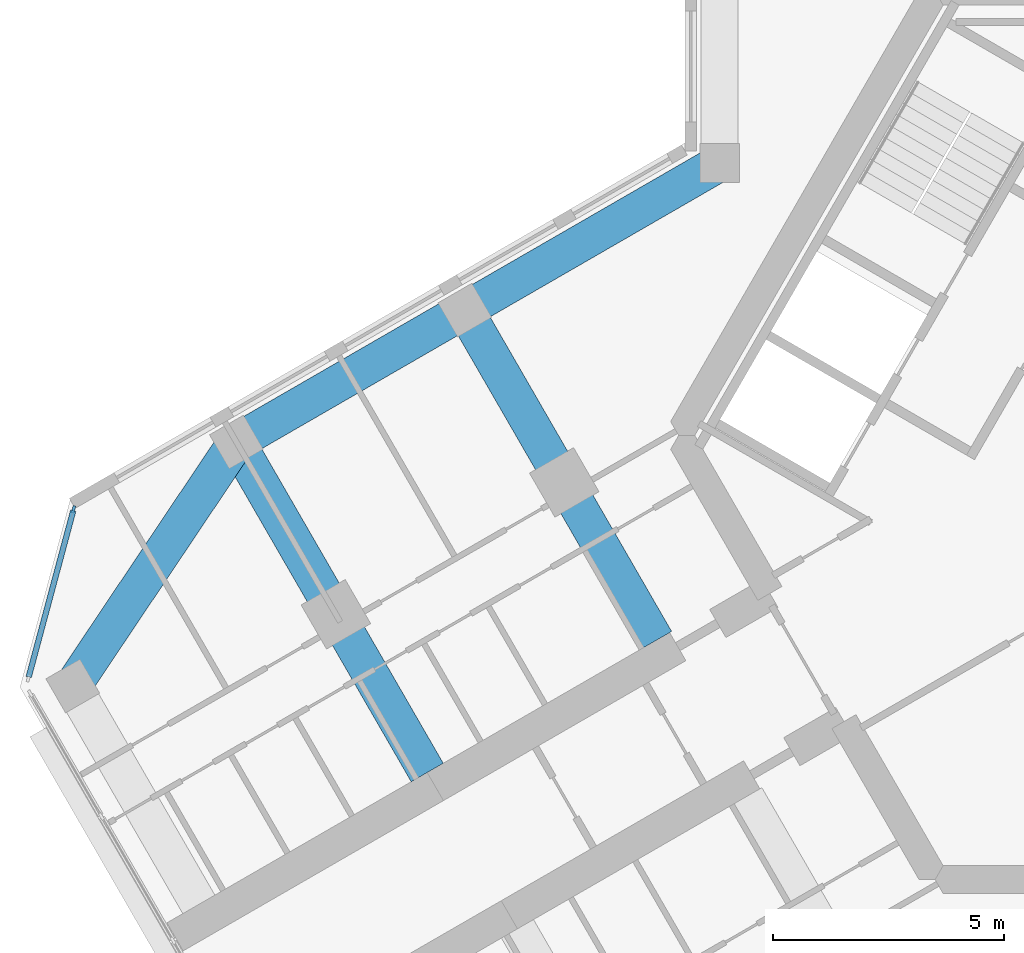
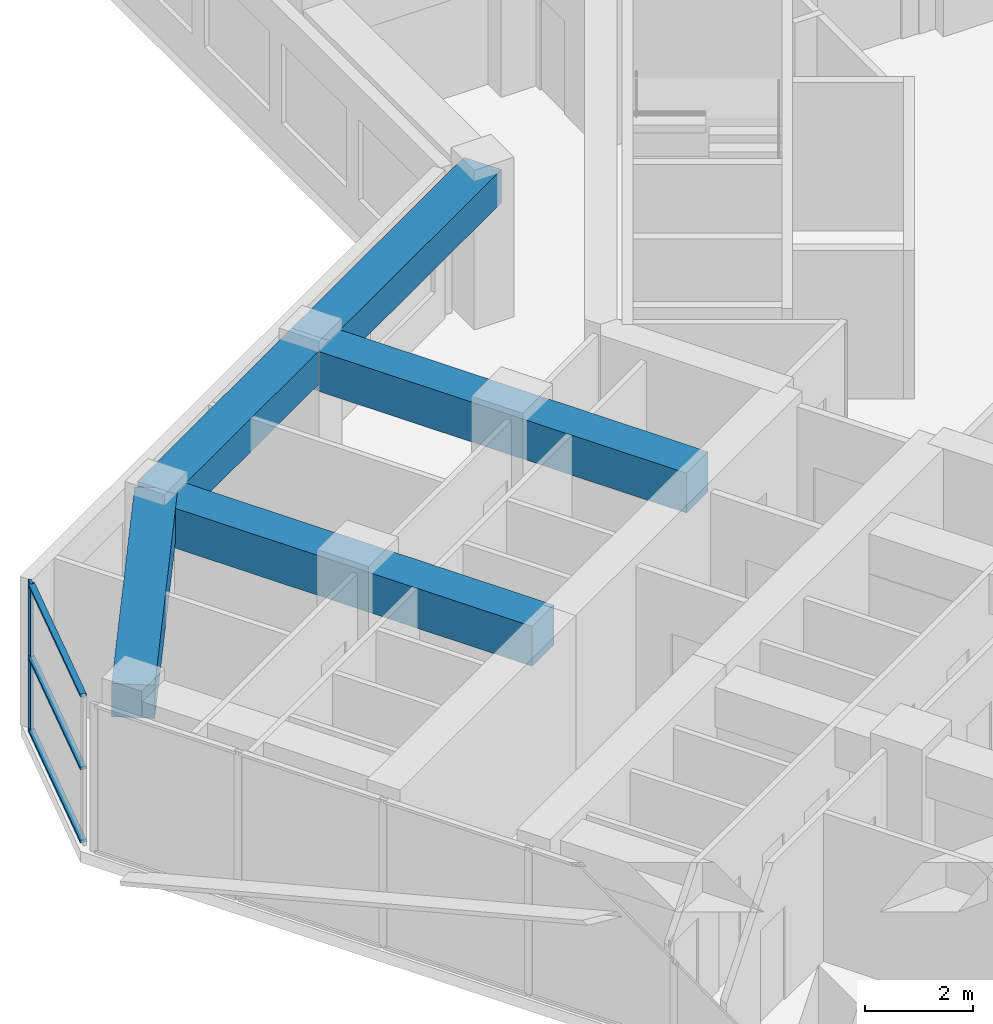
# One storey, part 3 of 16: 5 beams, 4 members, 1 element without a shape of its own.
"""IFC4 building model written with IfcOpenShell, lengths in metres."""

from ifc_helpers import new_model, si_unit, direction, frame, origin, origin_2d, place, context, subcontext, project, spatial, rectangle, extrude, material, material_profile, profile_set, type_object, element, aggregate, save


model = new_model("IFC4")

# Units and contexts
model_context = context("Model", 3, precision=1e-05, world=origin(), true_north=direction((0.0, 1.0)))
body_context = subcontext(model_context, "Body", "Model", "MODEL_VIEW")
ifc_project = project(units=[si_unit("LENGTHUNIT", "METRE"), si_unit("AREAUNIT", "SQUARE_METRE"), si_unit("VOLUMEUNIT", "CUBIC_METRE"), si_unit("PLANEANGLEUNIT", "RADIAN"), si_unit("MASSUNIT", "GRAM", prefix="KILO")], contexts=[model_context])

# Site, building, storey
site_placement = place(None, origin())
site = spatial("IfcSite", under=ifc_project, at=site_placement, CompositionType="ELEMENT")
building_placement = place(site_placement, origin())
building = spatial("IfcBuilding", under=site, at=building_placement, Name="Kosmar Iwan School Tower", CompositionType="ELEMENT")
storey_placement = place(building_placement, frame((0.0, 0.0, 246.0)))
storey = spatial("IfcBuildingStorey", under=building, at=storey_placement, Name="L62", CompositionType="ELEMENT", Elevation=246.0)

# Curtain wall, member
ifc_material_1 = material(Name="Dark glass in black aluminium frame", Category="aluminium")
curtain_wall_type = type_object("IfcCurtainWallType", Name="Chamfer curtain wall dark glass", PredefinedType="USERDEFINED", material=ifc_material_1)
curtain_wall_placement = place(storey_placement, origin())
curtain_wall = element("IfcCurtainWall", 1, at=curtain_wall_placement, inside=storey, type_object=curtain_wall_type, Name="Curtain wall L62-F10", ObjectType="FACETED CURTAIN WALL", PredefinedType="USERDEFINED")
ifc_material_2 = material(Name="Black anodised aluminium", Category="aluminium")
ifc_material_profile_1 = material_profile(ifc_material_2, rectangle(XDim=0.06005859375, YDim=0.159912109375, at=origin_2d()), Name="MULLION 60x160")
ifc_profile_set_1 = profile_set([ifc_material_profile_1], Name="Black anodised aluminium")
member_type_1 = type_object("IfcMemberType", Name="Mullion 60x160", PredefinedType="MULLION", material=ifc_profile_set_1)
member_1_placement = place(storey_placement, frame((-24.163818359375, -1.59814453125, 0.0), z_axis=(0.0, 0.0, 1.0), x_axis=(0.965925875495, -0.258818861462, 0.0)))
member_1 = element("IfcMember", 2, at=member_1_placement, type_object=member_type_1, Name="CW2 mullion 1", PredefinedType="MULLION", context=body_context, shape_type="SweptSolid", body=[
    extrude(rectangle(XDim=0.06005859375, YDim=0.159912109375, at=origin_2d()), origin(), (0.0, 0.0, 1.0), 3.35009765625),
])

# Beams
ifc_material_3 = material(Name="Concrete C50/60", Category="concrete")
ifc_material_profile_2 = material_profile(ifc_material_3, rectangle(XDim=0.800048828125, YDim=0.75, at=origin_2d()), Name="RC 800x750")
ifc_profile_set_2 = profile_set([ifc_material_profile_2], Name="Concrete C50/60")
beam_type_1 = type_object("IfcBeamType", Name="RC edge beam 800x750", PredefinedType="BEAM", material=ifc_profile_set_2)
beam_1_placement = place(storey_placement, frame((-10.199951171875, 5.888916015625, 2.97509765625), z_axis=(-0.866030912664, -0.49999045822, 0.0), x_axis=(0.49999045822, -0.866030912664, 0.0)))
element("IfcBeam", 3, at=beam_1_placement, inside=storey, type_object=beam_type_1, Name="Edge beam BR1", PredefinedType="BEAM", context=body_context, shape_type="SweptSolid", body=[
    extrude(rectangle(XDim=0.800048828125, YDim=0.75, at=origin_2d()), origin(), (0.0, 0.0, 1.0), 6.36083984375),
])
beam_2_placement = place(storey_placement, frame((-15.708740234375, 2.70849609375, 2.97509765625), z_axis=(-0.866025820012, -0.499999279071, 0.0), x_axis=(0.499999279071, -0.866025820012, 0.0)))
element("IfcBeam", 4, at=beam_2_placement, inside=storey, type_object=beam_type_1, Name="Edge beam BR2", PredefinedType="BEAM", context=body_context, shape_type="SweptSolid", body=[
    extrude(rectangle(XDim=0.800048828125, YDim=0.75, at=origin_2d()), origin(), (0.0, 0.0, 1.0), 5.7001953125),
])
ifc_material_4 = material(Name="Concrete C50/60", Category="concrete")
ifc_material_profile_3 = material_profile(ifc_material_4, rectangle(XDim=0.800048828125, YDim=0.75, at=origin_2d()), Name="RC 800x750")
ifc_profile_set_3 = profile_set([ifc_material_profile_3], Name="Concrete C50/60")
beam_type_2 = type_object("IfcBeamType", Name="RC tip beam 800x750", PredefinedType="BEAM", material=ifc_profile_set_3)
beam_3_placement = place(storey_placement, frame((-20.645263671875, -0.1416015625, 2.97509765625), z_axis=(-0.556827604145, -0.83062808721, 0.0), x_axis=(0.83062808721, -0.556827604145, 0.0)))
element("IfcBeam", 5, at=beam_3_placement, inside=storey, type_object=beam_type_2, Name="Tip beam BR", PredefinedType="BEAM", context=body_context, shape_type="SweptSolid", body=[
    extrude(rectangle(XDim=0.800048828125, YDim=0.75, at=origin_2d()), origin(), (0.0, 0.0, 1.0), 6.3505859375),
])
ifc_material_5 = material(Name="Concrete C50/60", Category="concrete")
ifc_material_profile_4 = material_profile(ifc_material_5, rectangle(XDim=0.800048828125, YDim=0.89990234375, at=origin_2d()), Name="RC 800x900")
ifc_profile_set_4 = profile_set([ifc_material_profile_4], Name="Concrete C50/60")
beam_type_3 = type_object("IfcBeamType", Name="RC transverse beam 800x900", PredefinedType="BEAM", material=ifc_profile_set_4)
beam_4_placement = place(storey_placement, frame((-15.708740234375, 2.70849609375, 2.89990234375), z_axis=(0.499996545922, -0.866027397988, 0.0), x_axis=(0.866027397988, 0.499996545922, 0.0)))
element("IfcBeam", 6, at=beam_4_placement, inside=storey, type_object=beam_type_3, Name="Transverse beam BR1", PredefinedType="BEAM", context=body_context, shape_type="SweptSolid", body=[
    extrude(rectangle(XDim=0.800048828125, YDim=0.89990234375, at=origin_2d()), origin(), (0.0, 0.0, 1.0), 8.25),
])
beam_5_placement = place(storey_placement, frame((-20.645263671875, -0.1416015625, 2.89990234375), z_axis=(0.500009360108, -0.866019999656, 0.0), x_axis=(0.866019999656, 0.500009360108, 0.0)))
element("IfcBeam", 7, at=beam_5_placement, inside=storey, type_object=beam_type_3, Name="Transverse beam BR2", PredefinedType="BEAM", context=body_context, shape_type="SweptSolid", body=[
    extrude(rectangle(XDim=0.800048828125, YDim=0.89990234375, at=origin_2d()), origin(), (0.0, 0.0, 1.0), 8.249755859375),
])

# Member
ifc_material_6 = material(Name="Black anodised aluminium", Category="aluminium")
ifc_material_profile_5 = material_profile(ifc_material_6, rectangle(XDim=0.1201171875, YDim=0.06005859375, at=origin_2d()), Name="TRANSOM 60x120")
ifc_profile_set_5 = profile_set([ifc_material_profile_5], Name="Black anodised aluminium")
member_type_2 = type_object("IfcMemberType", Name="Transom 60x120", PredefinedType="USERDEFINED", material=ifc_profile_set_5)
member_2_placement = place(storey_placement, frame((-24.17138671875, -1.627197265625, 0.030029296875), z_axis=(-0.258843273983, -0.965919333854, 0.0), x_axis=(0.965919333854, -0.258843273983, 0.0)))
member_2 = element("IfcMember", 8, at=member_2_placement, type_object=member_type_2, Name="CW2 transom 1.1", ObjectType="TRANSOM", PredefinedType="USERDEFINED", context=body_context, shape_type="SweptSolid", body=[
    extrude(rectangle(XDim=0.1201171875, YDim=0.06005859375, at=origin_2d()), origin(), (0.0, 0.0, 1.0), 3.718994140625),
])

member_3_placement = place(storey_placement, frame((-24.17138671875, -1.627197265625, 1.675048828125), z_axis=(-0.258843273983, -0.965919333854, 0.0), x_axis=(0.965919333854, -0.258843273983, 0.0)))
member_3 = element("IfcMember", 9, at=member_3_placement, type_object=member_type_2, Name="CW2 transom 1.2", ObjectType="TRANSOM", PredefinedType="USERDEFINED", context=body_context, shape_type="SweptSolid", body=[
    extrude(rectangle(XDim=0.1201171875, YDim=0.06005859375, at=origin_2d()), origin(), (0.0, 0.0, 1.0), 3.718994140625),
])

member_4_placement = place(storey_placement, frame((-24.17138671875, -1.627197265625, 3.320068359375), z_axis=(-0.258843273983, -0.965919333854, 0.0), x_axis=(0.965919333854, -0.258843273983, 0.0)))
member_4 = element("IfcMember", 10, at=member_4_placement, type_object=member_type_2, Name="CW2 transom 1.3", ObjectType="TRANSOM", PredefinedType="USERDEFINED", context=body_context, shape_type="SweptSolid", body=[
    extrude(rectangle(XDim=0.1201171875, YDim=0.06005859375, at=origin_2d()), origin(), (0.0, 0.0, 1.0), 3.718994140625),
])

aggregate(curtain_wall, [member_1, member_2, member_3, member_4])

save(model, "model.ifc")
